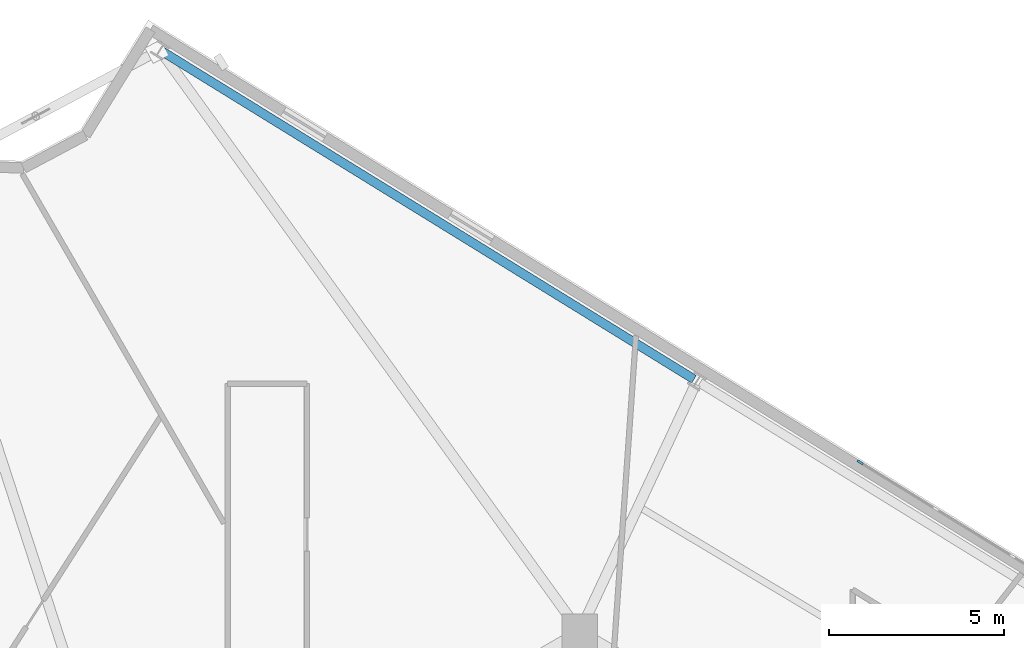
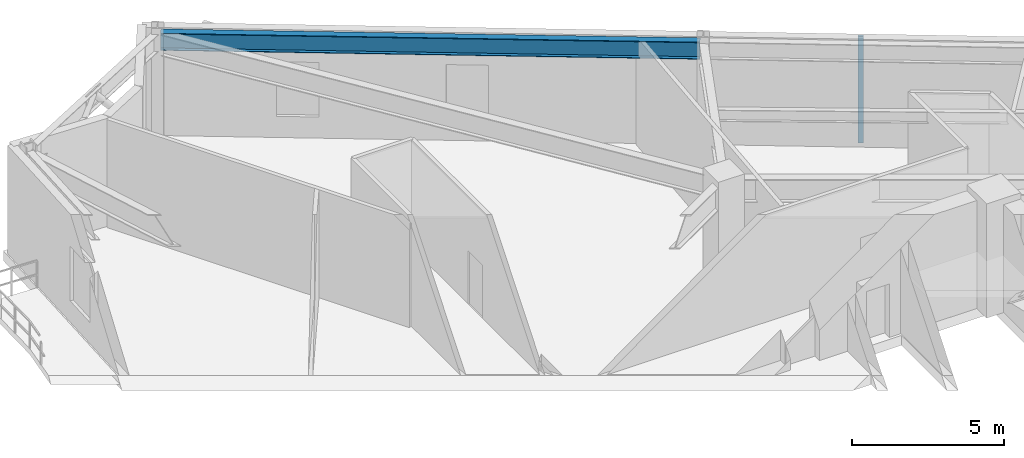
# One storey, part 10 of 22: 1 beam, 1 member, 1 element without a shape of its own.
"""IFC4 building model written with IfcOpenShell, lengths in metres."""

from ifc_helpers import new_model, si_unit, direction, frame, origin, origin_2d, place, context, subcontext, project, spatial, rectangle, i_section, extrude, material, layer, layer_set, material_profile, profile_set, type_object, element, aggregate, save


model = new_model("IFC4")

# Units and contexts
model_context = context("Model", 3, precision=1e-05, world=origin(), true_north=direction((0.0, 1.0)))
body_context = subcontext(model_context, "Body", "Model", "MODEL_VIEW")
ifc_project = project(units=[si_unit("LENGTHUNIT", "METRE"), si_unit("AREAUNIT", "SQUARE_METRE"), si_unit("VOLUMEUNIT", "CUBIC_METRE"), si_unit("PLANEANGLEUNIT", "RADIAN"), si_unit("MASSUNIT", "GRAM", prefix="KILO")], contexts=[model_context])

# Site, building, storey
site_placement = place(None, origin())
site = spatial("IfcSite", under=ifc_project, at=site_placement, CompositionType="ELEMENT")
building_placement = place(site_placement, origin())
building = spatial("IfcBuilding", under=site, at=building_placement, Name="Apsidion Concourse Tower", CompositionType="ELEMENT")
storey_placement = place(building_placement, frame((0.0, 0.0, 160.89990234375)))
storey = spatial("IfcBuildingStorey", under=building, at=storey_placement, Name="L37", CompositionType="ELEMENT", Elevation=160.89990234375)

# Beam
ifc_material_1 = material(Name="Structural steel ASTM A992 Grade 50", Category="steel")
ifc_material_profile_1 = material_profile(ifc_material_1, i_section(OverallWidth=0.256103515625, OverallDepth=0.693115234375, WebThickness=0.014404296875, FlangeThickness=0.023681640625, at=origin_2d()), Name="W27X114")
ifc_profile_set_1 = profile_set([ifc_material_profile_1], Name="Structural steel ASTM A992 Grade 50")
beam_type = type_object("IfcBeamType", Name="BM-SP-W27", PredefinedType="SPANDREL", material=ifc_profile_set_1)
beam_placement = place(storey_placement, frame((3.26123046875, 21.70751953125, 4.003662109375), z_axis=(-0.851253326815, 0.524754965281, 0.0), x_axis=(-0.524754965281, -0.851253326815, 0.0)))
element("IfcBeam", 1, at=beam_placement, inside=storey, type_object=beam_type, Name="L37 Perimeter Spandrel Girder SP-11", PredefinedType="SPANDREL", context=body_context, shape_type="SweptSolid", body=[
    extrude(i_section(OverallWidth=0.256103515625, OverallDepth=0.693115234375, WebThickness=0.014404296875, FlangeThickness=0.023681640625, at=origin_2d()), origin(), (0.0, 0.0, 1.0), 17.8115234375),
])

# Curtain wall, member
ifc_material_2 = material(Name="Insulated laminated low-E glass", Category="glass")
ifc_layer = layer(ifc_material_2, 0.2099609375)
ifc_layer_set = layer_set([ifc_layer], Name="Insulated laminated low-E glass")
curtain_wall_type = type_object("IfcCurtainWallType", Name="CW-SYS-03", PredefinedType="NOTDEFINED", material=ifc_layer_set)
curtain_wall_placement = place(storey_placement, origin())
curtain_wall = element("IfcCurtainWall", 2, at=curtain_wall_placement, inside=storey, type_object=curtain_wall_type, Name="L37 Sky Lobby Curtain Wall 1", PredefinedType="NOTDEFINED")
ifc_material_3 = material(Name="Anodised aluminium EN AW-6063 T6", Category="aluminium")
ifc_material_profile_2 = material_profile(ifc_material_3, rectangle(XDim=0.06494140625, YDim=0.179931640625, at=origin_2d()), Name="ALU MULLION 65x180")
ifc_profile_set_2 = profile_set([ifc_material_profile_2], Name="Anodised aluminium EN AW-6063 T6")
member_type = type_object("IfcMemberType", Name="CWM-65X180", PredefinedType="MULLION", material=ifc_profile_set_2)
member_placement = place(storey_placement, frame((8.006103515625, 19.33544921875, 0.0), z_axis=(0.0, 0.0, 1.0), x_axis=(0.524891207008, 0.851169325579, 0.0)))
member = element("IfcMember", 3, at=member_placement, type_object=member_type, Name="CW-03 mullion 1", PredefinedType="MULLION", context=body_context, shape_type="SweptSolid", body=[
    extrude(rectangle(XDim=0.06494140625, YDim=0.179931640625, at=origin_2d()), origin(), (0.0, 0.0, 1.0), 4.300048828125),
])
aggregate(curtain_wall, [member])

save(model, "model.ifc")
